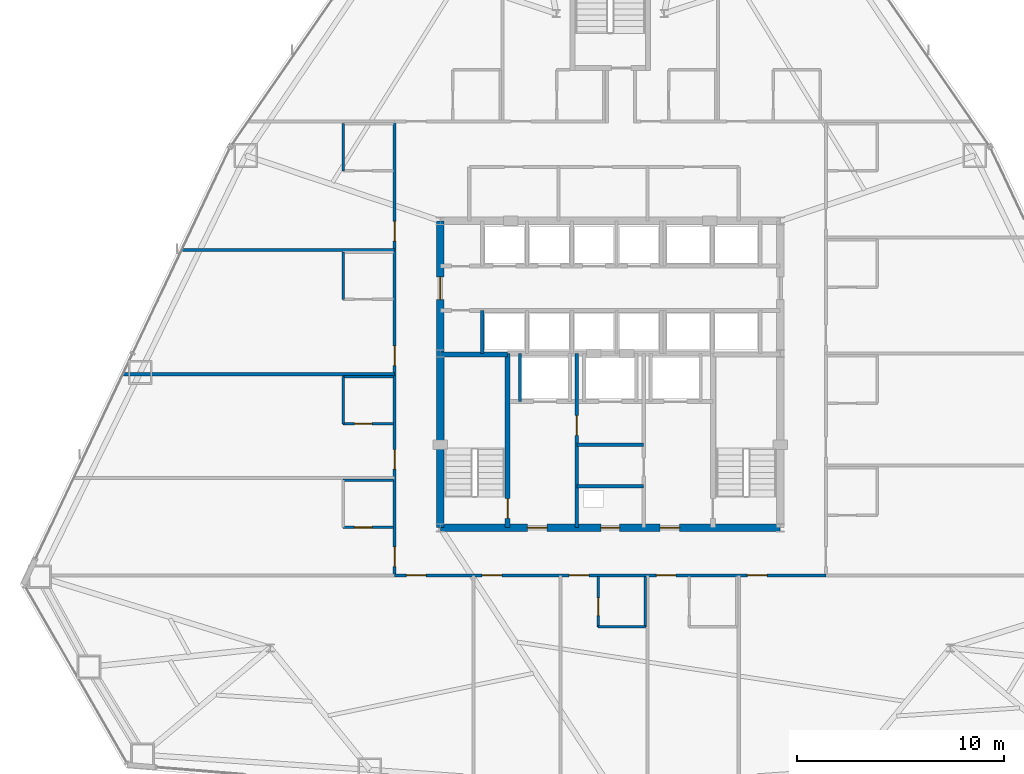
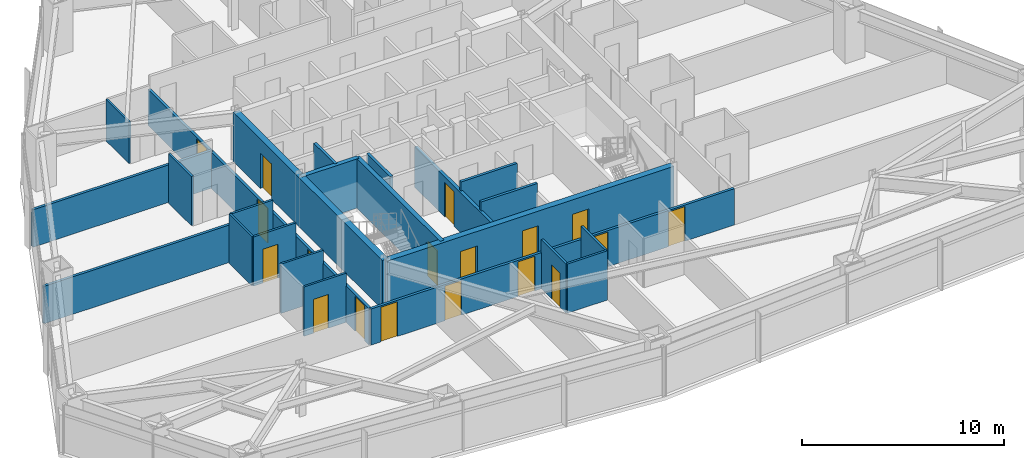
# One storey, part 9 of 13: 23 walls, 18 doors, 18 openings.
"""IFC4 building model written with IfcOpenShell, lengths in metres."""

from ifc_helpers import new_model, si_unit, direction, frame, frame_2d, origin, place, context, subcontext, project, spatial, rectangle, extrude, material, layer, layer_set, type_object, element, fill, save


model = new_model("IFC4")

# Units and contexts
model_context = context("Model", 3, precision=1e-05, world=origin(), true_north=direction((0.0, 1.0)))
body_context = subcontext(model_context, "Body", "Model", "MODEL_VIEW")
ifc_project = project(units=[si_unit("LENGTHUNIT", "METRE"), si_unit("AREAUNIT", "SQUARE_METRE"), si_unit("VOLUMEUNIT", "CUBIC_METRE"), si_unit("PLANEANGLEUNIT", "RADIAN"), si_unit("MASSUNIT", "GRAM", prefix="KILO")], contexts=[model_context])

# Site, building, storey
site_placement = place(None, origin())
site = spatial("IfcSite", under=ifc_project, at=site_placement, CompositionType="ELEMENT")
building_placement = place(site_placement, origin())
building = spatial("IfcBuilding", under=site, at=building_placement, Name="Varakhsha Concourse Tower", CompositionType="ELEMENT")
storey_placement = place(building_placement, frame((0.0, 0.0, 52.800048828125)))
storey = spatial("IfcBuildingStorey", under=building, at=storey_placement, Name="L14", CompositionType="ELEMENT", Elevation=52.800048828125)

# Wall, openings, doors
ifc_material_1 = material(Name="Concrete fc 65 MPa", Category="concrete")
ifc_layer_1 = layer(ifc_material_1, 0.35009765625, Name="WL-CORE-350")
ifc_layer_set_1 = layer_set([ifc_layer_1], Name="Concrete fc 65 MPa")
wall_type_1 = type_object("IfcWallType", Name="WL-CORE-350", PredefinedType="SHEAR", material=ifc_layer_set_1)
wall_1_placement = place(storey_placement, frame((31.800048828125, 16.39990234375, 0.0), z_axis=(0.0, 0.0, 1.0), x_axis=(1.0, 0.0, 0.0)))
wall_1 = element("IfcWall", 1, at=wall_1_placement, inside=storey, type_object=wall_type_1, Name="L14 Wall CWALL-S-L14", PredefinedType="SHEAR", context=body_context, shape_type="SweptSolid", body=[
    extrude(rectangle(XDim=16.39990234375, YDim=0.35009765625, at=frame_2d((8.199951171875, 0.0))), origin(), (0.0, 0.0, 1.0), 2.97998046875),
])
opening_1_placement = place(wall_1_placement, frame((7.75, 0.0, 0.0)))
opening_1 = element("IfcOpeningElement", 2, at=opening_1_placement, cuts=wall_1, Name="Opening DF-06", PredefinedType="OPENING", context=body_context, shape_type="SweptSolid", body=[
    extrude(rectangle(XDim=0.89990234375, YDim=2.10009765625, at=frame_2d((0.449951171875, 1.050048828125))), frame((0.0, 0.18505859375, 0.0), z_axis=(0.0, -1.0, 0.0), x_axis=(1.0, 0.0, 0.0)), (0.0, 0.0, 1.0), 0.3701171875),
])
opening_2_placement = place(wall_1_placement, frame((4.199951171875, 0.0, 0.0)))
opening_2 = element("IfcOpeningElement", 3, at=opening_2_placement, cuts=wall_1, Name="Opening DF-05", PredefinedType="OPENING", context=body_context, shape_type="SweptSolid", body=[
    extrude(rectangle(XDim=0.949951171875, YDim=2.10009765625, at=frame_2d((0.47509765625, 1.050048828125))), frame((0.0, 0.18505859375, 0.0), z_axis=(0.0, -1.0, 0.0), x_axis=(1.0, 0.0, 0.0)), (0.0, 0.0, 1.0), 0.3701171875),
])
opening_3_placement = place(wall_1_placement, frame((10.60009765625, 0.0, 0.0)))
opening_3 = element("IfcOpeningElement", 4, at=opening_3_placement, cuts=wall_1, Name="Opening DF-05", PredefinedType="OPENING", context=body_context, shape_type="SweptSolid", body=[
    extrude(rectangle(XDim=0.949951171875, YDim=2.10009765625, at=frame_2d((0.47509765625, 1.050048828125))), frame((0.0, 0.18505859375, 0.0), z_axis=(0.0, -1.0, 0.0), x_axis=(1.0, 0.0, 0.0)), (0.0, 0.0, 1.0), 0.3701171875),
])
ifc_material_2 = material(Name="Hollow Galvanised Steel Fire Door Assembly", Category="steel")
door_type_1 = type_object("IfcDoorType", Name="DR-FD60-900", OperationType="NOTDEFINED", PredefinedType="DOOR", material=ifc_material_2)
door_1_placement = place(opening_1_placement, origin())
door_1 = element("IfcDoor", 5, at=door_1_placement, inside=storey, type_object=door_type_1, Name="L14 Electrical Riser Door", OperationType="SINGLE_SWING_LEFT", OverallHeight=2.10009765625, OverallWidth=0.89990234375, PredefinedType="DOOR", context=body_context, shape_type="SweptSolid", body=[
    extrude(rectangle(XDim=0.89990234375, YDim=2.10009765625, at=frame_2d((0.449951171875, 1.050048828125))), frame((0.0, 0.02490234375, 0.0), z_axis=(0.0, -1.0, 0.0), x_axis=(1.0, 0.0, 0.0)), (0.0, 0.0, 1.0), 0.050048828125),
])
fill(opening_1, door_1)
door_type_2 = type_object("IfcDoorType", Name="DR-FD60-950", OperationType="NOTDEFINED", PredefinedType="DOOR", material=ifc_material_2)
door_2_placement = place(opening_2_placement, origin())
door_2 = element("IfcDoor", 6, at=door_2_placement, inside=storey, type_object=door_type_2, Name="L14 Firefighting Lobby West Door", OperationType="SINGLE_SWING_RIGHT", OverallHeight=2.10009765625, OverallWidth=0.949951171875, PredefinedType="DOOR", context=body_context, shape_type="SweptSolid", body=[
    extrude(rectangle(XDim=0.949951171875, YDim=2.10009765625, at=frame_2d((0.47509765625, 1.050048828125))), frame((0.0, 0.02490234375, 0.0), z_axis=(0.0, -1.0, 0.0), x_axis=(1.0, 0.0, 0.0)), (0.0, 0.0, 1.0), 0.050048828125),
])
fill(opening_2, door_2)
door_3_placement = place(opening_3_placement, origin())
door_3 = element("IfcDoor", 7, at=door_3_placement, inside=storey, type_object=door_type_2, Name="L14 Firefighting Lobby East Door", OperationType="SINGLE_SWING_LEFT", OverallHeight=2.10009765625, OverallWidth=0.949951171875, PredefinedType="DOOR", context=body_context, shape_type="SweptSolid", body=[
    extrude(rectangle(XDim=0.949951171875, YDim=2.10009765625, at=frame_2d((0.47509765625, 1.050048828125))), frame((0.0, 0.02490234375, 0.0), z_axis=(0.0, -1.0, 0.0), x_axis=(1.0, 0.0, 0.0)), (0.0, 0.0, 1.0), 0.050048828125),
])
fill(opening_3, door_3)

# Wall, opening, door
wall_2_placement = place(storey_placement, frame((31.800048828125, 16.39990234375, 0.0), z_axis=(0.0, 0.0, 1.0), x_axis=(0.0, 1.0, 0.0)))
wall_2 = element("IfcWall", 8, at=wall_2_placement, inside=storey, type_object=wall_type_1, Name="L14 Wall CWALL-W-L14", PredefinedType="SHEAR", context=body_context, shape_type="SweptSolid", body=[
    extrude(rectangle(XDim=14.800048828125, YDim=0.35009765625, at=frame_2d((7.39990234375, 0.0))), origin(), (0.0, 0.0, 1.0), 2.97998046875),
])
opening_4_placement = place(wall_2_placement, frame((11.0, 0.0, 0.0)))
opening_4 = element("IfcOpeningElement", 9, at=opening_4_placement, cuts=wall_2, Name="Opening DL-01", PredefinedType="OPENING", context=body_context, shape_type="SweptSolid", body=[
    extrude(rectangle(XDim=1.10009765625, YDim=2.14990234375, at=frame_2d((0.550048828125, 1.074951171875))), frame((0.0, 0.18505859375, 0.0), z_axis=(0.0, -1.0, 0.0), x_axis=(1.0, 0.0, 0.0)), (0.0, 0.0, 1.0), 0.3701171875),
])
ifc_material_3 = material(Name="Anodised Bronze Architectural Aluminium AA 6063-T6", Category="aluminium")
door_type_3 = type_object("IfcDoorType", Name="DR-LOB-1100", OperationType="NOTDEFINED", PredefinedType="DOOR", material=ifc_material_3)
door_4_placement = place(opening_4_placement, origin())
door_4 = element("IfcDoor", 10, at=door_4_placement, inside=storey, type_object=door_type_3, Name="L14 Lift Lobby West Concourse Door", OperationType="SINGLE_SWING_LEFT", OverallHeight=2.14990234375, OverallWidth=1.10009765625, PredefinedType="DOOR", context=body_context, shape_type="SweptSolid", body=[
    extrude(rectangle(XDim=1.10009765625, YDim=2.14990234375, at=frame_2d((0.550048828125, 1.074951171875))), frame((0.0, 0.02490234375, 0.0), z_axis=(0.0, -1.0, 0.0), x_axis=(1.0, 0.0, 0.0)), (0.0, 0.0, 1.0), 0.050048828125),
])
fill(opening_4, door_4)

ifc_material_4 = material(Name="Fire-Rated Type X Gypsum Partition Assembly", Category="gypsum")
ifc_layer_2 = layer(ifc_material_4, 0.179931640625, Name="WL-FFLOB-180")
ifc_layer_set_2 = layer_set([ifc_layer_2], Name="Fire-Rated Type X Gypsum Partition Assembly")
wall_type_2 = type_object("IfcWallType", Name="WL-FFLOB-180", PredefinedType="PARTITIONING", material=ifc_layer_set_2)
wall_3_placement = place(storey_placement, frame((38.389892578125, 16.39990234375, 0.0), z_axis=(0.0, 0.0, 1.0), x_axis=(0.0, 1.0, 0.0)))
wall_3 = element("IfcWall", 11, at=wall_3_placement, inside=storey, type_object=wall_type_2, Name="L14 Wall FFW-1E-L14", PredefinedType="PARTITIONING", context=body_context, shape_type="SweptSolid", body=[
    extrude(rectangle(XDim=8.400146484375, YDim=0.179931640625, at=frame_2d((4.2001953125, 0.0))), origin(), (0.0, 0.0, 1.0), 2.430908203125),
])
opening_5_placement = place(wall_3_placement, frame((4.449951171875, 0.0, 0.0)))
opening_5 = element("IfcOpeningElement", 12, at=opening_5_placement, cuts=wall_3, Name="Opening DF-05", PredefinedType="OPENING", context=body_context, shape_type="SweptSolid", body=[
    extrude(rectangle(XDim=0.949951171875, YDim=2.10009765625, at=frame_2d((0.47509765625, 1.050048828125))), frame((0.0, 0.099853515625, 0.0), z_axis=(0.0, -1.0, 0.0), x_axis=(1.0, 0.0, 0.0)), (0.0, 0.0, 1.0), 0.199951171875),
])
door_5_placement = place(opening_5_placement, origin())
door_5 = element("IfcDoor", 13, at=door_5_placement, inside=storey, type_object=door_type_2, Name="L14 Service Vestibule Door", OperationType="SINGLE_SWING_RIGHT", OverallHeight=2.10009765625, OverallWidth=0.949951171875, PredefinedType="DOOR", context=body_context, shape_type="SweptSolid", body=[
    extrude(rectangle(XDim=0.949951171875, YDim=2.10009765625, at=frame_2d((0.47509765625, 1.050048828125))), frame((0.0, 0.02490234375, 0.0), z_axis=(0.0, -1.0, 0.0), x_axis=(1.0, 0.0, 0.0)), (0.0, 0.0, 1.0), 0.050048828125),
])
fill(opening_5, door_5)

ifc_material_5 = material(Name="Acoustic Gypsum Board Partition Assembly", Category="gypsum")
ifc_layer_3 = layer(ifc_material_5, 0.1201171875, Name="WL-PART-120")
ifc_layer_set_3 = layer_set([ifc_layer_3], Name="Acoustic Gypsum Board Partition Assembly")
wall_type_3 = type_object("IfcWallType", Name="WL-PART-120", PredefinedType="PARTITIONING", material=ifc_layer_set_3)
wall_4_placement = place(storey_placement, frame((39.409912109375, 11.610107421875, 0.0), z_axis=(0.0, 0.0, 1.0), x_axis=(0.0, 1.0, 0.0)))
wall_4 = element("IfcWall", 14, at=wall_4_placement, inside=storey, type_object=wall_type_3, Name="L14 Wall ENSW-W-L14-H03", PredefinedType="PARTITIONING", context=body_context, shape_type="SweptSolid", body=[
    extrude(rectangle(XDim=2.429931640625, YDim=0.1201171875, at=frame_2d((1.21484375, 0.0))), origin(), (0.0, 0.0, 1.0), 2.97998046875),
])
opening_6_placement = place(wall_4_placement, frame((0.550048828125, 0.0, 0.0)))
opening_6 = element("IfcOpeningElement", 15, at=opening_6_placement, cuts=wall_4, Name="Opening DI-01", PredefinedType="OPENING", context=body_context, shape_type="SweptSolid", body=[
    extrude(rectangle(XDim=0.85009765625, YDim=2.050048828125, at=frame_2d((0.425048828125, 1.02490234375))), frame((0.0, 0.070068359375, 0.0), z_axis=(0.0, -1.0, 0.0), x_axis=(1.0, 0.0, 0.0)), (0.0, 0.0, 1.0), 0.14013671875),
])
ifc_material_6 = material(Name="Architectural Walnut Acoustic Timber Door", Category="wood")
door_type_4 = type_object("IfcDoorType", Name="DR-INT-850", OperationType="NOTDEFINED", PredefinedType="DOOR", material=ifc_material_6)
door_6_placement = place(opening_6_placement, origin())
door_6 = element("IfcDoor", 16, at=door_6_placement, inside=storey, type_object=door_type_4, Name="L14 En-suite Bathroom Door L14-H03", OperationType="SINGLE_SWING_RIGHT", OverallHeight=2.050048828125, OverallWidth=0.85009765625, PredefinedType="DOOR", context=body_context, shape_type="SweptSolid", body=[
    extrude(rectangle(XDim=0.85009765625, YDim=2.050048828125, at=frame_2d((0.425048828125, 1.02490234375))), frame((0.0, 0.02490234375, 0.0), z_axis=(0.0, -1.0, 0.0), x_axis=(1.0, 0.0, 0.0)), (0.0, 0.0, 1.0), 0.050048828125),
])
fill(opening_6, door_6)

# Walls
wall_5_placement = place(storey_placement, frame((41.68994140625, 11.610107421875, 0.0), z_axis=(0.0, 0.0, 1.0), x_axis=(0.0, 1.0, 0.0)))
element("IfcWall", 17, at=wall_5_placement, inside=storey, type_object=wall_type_3, Name="L14 Wall ENSW-E-L14-H03", PredefinedType="PARTITIONING", context=body_context, shape_type="SweptSolid", body=[
    extrude(rectangle(XDim=2.429931640625, YDim=0.1201171875, at=frame_2d((1.21484375, 0.0))), origin(), (0.0, 0.0, 1.0), 2.97998046875),
])
wall_6_placement = place(storey_placement, frame((39.409912109375, 11.610107421875, 0.0), z_axis=(0.0, 0.0, 1.0), x_axis=(1.0, 0.0, 0.0)))
element("IfcWall", 18, at=wall_6_placement, inside=storey, type_object=wall_type_3, Name="L14 Wall ENSW-S-L14-H03", PredefinedType="PARTITIONING", context=body_context, shape_type="SweptSolid", body=[
    extrude(rectangle(XDim=2.280029296875, YDim=0.1201171875, at=frame_2d((1.14013671875, 0.0))), origin(), (0.0, 0.0, 1.0), 2.97998046875),
])

# Wall, opening, door
wall_7_placement = place(storey_placement, frame((27.110107421875, 16.409912109375, 0.0), z_axis=(0.0, 0.0, 1.0), x_axis=(1.0, 0.0, 0.0)))
wall_7 = element("IfcWall", 19, at=wall_7_placement, inside=storey, type_object=wall_type_3, Name="L14 Wall ENSW-S-L14-H06", PredefinedType="PARTITIONING", context=body_context, shape_type="SweptSolid", body=[
    extrude(rectangle(XDim=2.429931640625, YDim=0.1201171875, at=frame_2d((1.21484375, 0.0))), origin(), (0.0, 0.0, 1.0), 2.97998046875),
])
opening_7_placement = place(wall_7_placement, frame((0.550048828125, 0.0, 0.0)))
opening_7 = element("IfcOpeningElement", 20, at=opening_7_placement, cuts=wall_7, Name="Opening DI-01", PredefinedType="OPENING", context=body_context, shape_type="SweptSolid", body=[
    extrude(rectangle(XDim=0.85009765625, YDim=2.050048828125, at=frame_2d((0.425048828125, 1.02490234375))), frame((0.0, 0.070068359375, 0.0), z_axis=(0.0, -1.0, 0.0), x_axis=(1.0, 0.0, 0.0)), (0.0, 0.0, 1.0), 0.14013671875),
])
door_7_placement = place(opening_7_placement, origin())
door_7 = element("IfcDoor", 21, at=door_7_placement, inside=storey, type_object=door_type_4, Name="L14 En-suite Bathroom Door L14-H06", OperationType="SINGLE_SWING_RIGHT", OverallHeight=2.050048828125, OverallWidth=0.85009765625, PredefinedType="DOOR", context=body_context, shape_type="SweptSolid", body=[
    extrude(rectangle(XDim=0.85009765625, YDim=2.050048828125, at=frame_2d((0.425048828125, 1.02490234375))), frame((0.0, 0.02490234375, 0.0), z_axis=(0.0, -1.0, 0.0), x_axis=(1.0, 0.0, 0.0)), (0.0, 0.0, 1.0), 0.050048828125),
])
fill(opening_7, door_7)

# Walls
wall_8_placement = place(storey_placement, frame((27.110107421875, 18.68994140625, 0.0), z_axis=(0.0, 0.0, 1.0), x_axis=(1.0, 0.0, 0.0)))
element("IfcWall", 22, at=wall_8_placement, inside=storey, type_object=wall_type_3, Name="L14 Wall ENSW-N-L14-H06", PredefinedType="PARTITIONING", context=body_context, shape_type="SweptSolid", body=[
    extrude(rectangle(XDim=2.429931640625, YDim=0.1201171875, at=frame_2d((1.21484375, 0.0))), origin(), (0.0, 0.0, 1.0), 2.97998046875),
])
wall_9_placement = place(storey_placement, frame((27.110107421875, 21.409912109375, 0.0), z_axis=(0.0, 0.0, 1.0), x_axis=(0.0, 1.0, 0.0)))
element("IfcWall", 23, at=wall_9_placement, inside=storey, type_object=wall_type_3, Name="L14 Wall ENSW-W-L14-H07", PredefinedType="PARTITIONING", context=body_context, shape_type="SweptSolid", body=[
    extrude(rectangle(XDim=2.280029296875, YDim=0.1201171875, at=frame_2d((1.14013671875, 0.0))), origin(), (0.0, 0.0, 1.0), 2.97998046875),
])

# Wall, opening, door
wall_10_placement = place(storey_placement, frame((27.110107421875, 21.409912109375, 0.0), z_axis=(0.0, 0.0, 1.0), x_axis=(1.0, 0.0, 0.0)))
wall_10 = element("IfcWall", 24, at=wall_10_placement, inside=storey, type_object=wall_type_3, Name="L14 Wall ENSW-S-L14-H07", PredefinedType="PARTITIONING", context=body_context, shape_type="SweptSolid", body=[
    extrude(rectangle(XDim=2.429931640625, YDim=0.1201171875, at=frame_2d((1.21484375, 0.0))), origin(), (0.0, 0.0, 1.0), 2.97998046875),
])
opening_8_placement = place(wall_10_placement, frame((0.550048828125, 0.0, 0.0)))
opening_8 = element("IfcOpeningElement", 25, at=opening_8_placement, cuts=wall_10, Name="Opening DI-01", PredefinedType="OPENING", context=body_context, shape_type="SweptSolid", body=[
    extrude(rectangle(XDim=0.85009765625, YDim=2.050048828125, at=frame_2d((0.425048828125, 1.02490234375))), frame((0.0, 0.070068359375, 0.0), z_axis=(0.0, -1.0, 0.0), x_axis=(1.0, 0.0, 0.0)), (0.0, 0.0, 1.0), 0.14013671875),
])
door_8_placement = place(opening_8_placement, origin())
door_8 = element("IfcDoor", 26, at=door_8_placement, inside=storey, type_object=door_type_4, Name="L14 En-suite Bathroom Door L14-H07", OperationType="SINGLE_SWING_RIGHT", OverallHeight=2.050048828125, OverallWidth=0.85009765625, PredefinedType="DOOR", context=body_context, shape_type="SweptSolid", body=[
    extrude(rectangle(XDim=0.85009765625, YDim=2.050048828125, at=frame_2d((0.425048828125, 1.02490234375))), frame((0.0, 0.02490234375, 0.0), z_axis=(0.0, -1.0, 0.0), x_axis=(1.0, 0.0, 0.0)), (0.0, 0.0, 1.0), 0.050048828125),
])
fill(opening_8, door_8)

# Walls
wall_11_placement = place(storey_placement, frame((27.110107421875, 23.68994140625, 0.0), z_axis=(0.0, 0.0, 1.0), x_axis=(1.0, 0.0, 0.0)))
element("IfcWall", 27, at=wall_11_placement, inside=storey, type_object=wall_type_3, Name="L14 Wall ENSW-N-L14-H07", PredefinedType="PARTITIONING", context=body_context, shape_type="SweptSolid", body=[
    extrude(rectangle(XDim=2.429931640625, YDim=0.1201171875, at=frame_2d((1.21484375, 0.0))), origin(), (0.0, 0.0, 1.0), 2.97998046875),
])
wall_12_placement = place(storey_placement, frame((27.110107421875, 27.409912109375, 0.0), z_axis=(0.0, 0.0, 1.0), x_axis=(0.0, 1.0, 0.0)))
element("IfcWall", 28, at=wall_12_placement, inside=storey, type_object=wall_type_3, Name="L14 Wall ENSW-W-L14-H08", PredefinedType="PARTITIONING", context=body_context, shape_type="SweptSolid", body=[
    extrude(rectangle(XDim=2.280029296875, YDim=0.1201171875, at=frame_2d((1.14013671875, 0.0))), origin(), (0.0, 0.0, 1.0), 2.97998046875),
])
wall_13_placement = place(storey_placement, frame((27.110107421875, 33.610107421875, 0.0), z_axis=(0.0, 0.0, 1.0), x_axis=(0.0, 1.0, 0.0)))
element("IfcWall", 29, at=wall_13_placement, inside=storey, type_object=wall_type_3, Name="L14 Wall ENSW-W-L14-H09", PredefinedType="PARTITIONING", context=body_context, shape_type="SweptSolid", body=[
    extrude(rectangle(XDim=2.27978515625, YDim=0.1201171875, at=frame_2d((1.139892578125, 0.0))), origin(), (0.0, 0.0, 1.0), 2.512939453125),
])
ifc_layer_4 = layer(ifc_material_4, 0.14990234375, Name="WL-PART-150")
ifc_layer_set_4 = layer_set([ifc_layer_4], Name="Fire-Rated Type X Gypsum Partition Assembly")
wall_type_4 = type_object("IfcWallType", Name="WL-PART-150", PredefinedType="PARTITIONING", material=ifc_layer_set_4)
for number, where, z_axis, x_axis, name in (
    (30, (38.389892578125, 18.39990234375, 0.0), (0.0, 0.0, 1.0), (1.0, 0.0, 0.0), "L14 Wall RSW-H1-L14"),
    (31, (38.389892578125, 20.39990234375, 0.0), (0.0, 0.0, 1.0), (1.0, 0.0, 0.0), "L14 Wall RSW-H2-L14"),
):
    element("IfcWall", number, at=place(storey_placement, frame(where, z_axis=z_axis, x_axis=x_axis)), inside=storey, type_object=wall_type_4, Name=name, PredefinedType="PARTITIONING", context=body_context, shape_type="SweptSolid", body=[
        extrude(rectangle(XDim=3.22021484375, YDim=0.14990234375, at=frame_2d((1.610107421875, 0.0))), origin(), (0.0, 0.0, 1.0), 2.97998046875),
    ])

# Wall, openings, doors
wall_14_placement = place(storey_placement, frame((29.60009765625, 14.10009765625, 0.0), z_axis=(0.0, 0.0, 1.0), x_axis=(1.0, 0.0, 0.0)))
wall_14 = element("IfcWall", 32, at=wall_14_placement, inside=storey, type_object=wall_type_4, Name="L14 Wall CRW-S-L14", PredefinedType="PARTITIONING", context=body_context, shape_type="SweptSolid", body=[
    extrude(rectangle(XDim=20.7998046875, YDim=0.14990234375, at=frame_2d((10.39990234375, 0.0))), origin(), (0.0, 0.0, 1.0), 2.19091796875),
])
opening_9_placement = place(wall_14_placement, frame((0.570068359375, 0.0, 0.0)))
opening_9 = element("IfcOpeningElement", 33, at=opening_9_placement, cuts=wall_14, Name="Opening DF-05", PredefinedType="OPENING", context=body_context, shape_type="SweptSolid", body=[
    extrude(rectangle(XDim=0.949951171875, YDim=2.10009765625, at=frame_2d((0.47509765625, 1.050048828125))), frame((0.0, 0.0849609375, 0.0), z_axis=(0.0, -1.0, 0.0), x_axis=(1.0, 0.0, 0.0)), (0.0, 0.0, 1.0), 0.169921875),
])
opening_10_placement = place(wall_14_placement, frame((4.219970703125, 0.0, 0.0)))
opening_10 = element("IfcOpeningElement", 34, at=opening_10_placement, cuts=wall_14, Name="Opening DF-05", PredefinedType="OPENING", context=body_context, shape_type="SweptSolid", body=[
    extrude(rectangle(XDim=0.949951171875, YDim=2.10009765625, at=frame_2d((0.47509765625, 1.050048828125))), frame((0.0, 0.0849609375, 0.0), z_axis=(0.0, -1.0, 0.0), x_axis=(1.0, 0.0, 0.0)), (0.0, 0.0, 1.0), 0.169921875),
])
opening_11_placement = place(wall_14_placement, frame((8.419921875, 0.0, 0.0)))
opening_11 = element("IfcOpeningElement", 35, at=opening_11_placement, cuts=wall_14, Name="Opening DF-05", PredefinedType="OPENING", context=body_context, shape_type="SweptSolid", body=[
    extrude(rectangle(XDim=0.949951171875, YDim=2.10009765625, at=frame_2d((0.47509765625, 1.050048828125))), frame((0.0, 0.0849609375, 0.0), z_axis=(0.0, -1.0, 0.0), x_axis=(1.0, 0.0, 0.0)), (0.0, 0.0, 1.0), 0.169921875),
])
opening_12_placement = place(wall_14_placement, frame((12.6201171875, 0.0, 0.0)))
opening_12 = element("IfcOpeningElement", 36, at=opening_12_placement, cuts=wall_14, Name="Opening DF-05", PredefinedType="OPENING", context=body_context, shape_type="SweptSolid", body=[
    extrude(rectangle(XDim=0.949951171875, YDim=2.10009765625, at=frame_2d((0.47509765625, 1.050048828125))), frame((0.0, 0.0849609375, 0.0), z_axis=(0.0, -1.0, 0.0), x_axis=(1.0, 0.0, 0.0)), (0.0, 0.0, 1.0), 0.169921875),
])
opening_13_placement = place(wall_14_placement, frame((17.02001953125, 0.0, 0.0)))
opening_13 = element("IfcOpeningElement", 37, at=opening_13_placement, cuts=wall_14, Name="Opening DF-05", PredefinedType="OPENING", context=body_context, shape_type="SweptSolid", body=[
    extrude(rectangle(XDim=0.949951171875, YDim=2.10009765625, at=frame_2d((0.47509765625, 1.050048828125))), frame((0.0, 0.0849609375, 0.0), z_axis=(0.0, -1.0, 0.0), x_axis=(1.0, 0.0, 0.0)), (0.0, 0.0, 1.0), 0.169921875),
])
door_9_placement = place(opening_9_placement, origin())
door_9 = element("IfcDoor", 38, at=door_9_placement, inside=storey, type_object=door_type_2, Name="L14 Hotel Executive Salon L14-H01 Door", OperationType="SINGLE_SWING_LEFT", OverallHeight=2.10009765625, OverallWidth=0.949951171875, PredefinedType="DOOR", context=body_context, shape_type="SweptSolid", body=[
    extrude(rectangle(XDim=0.949951171875, YDim=2.10009765625, at=frame_2d((0.47509765625, 1.050048828125))), frame((0.0, 0.02490234375, 0.0), z_axis=(0.0, -1.0, 0.0), x_axis=(1.0, 0.0, 0.0)), (0.0, 0.0, 1.0), 0.050048828125),
])
fill(opening_9, door_9)
door_10_placement = place(opening_10_placement, origin())
door_10 = element("IfcDoor", 39, at=door_10_placement, inside=storey, type_object=door_type_2, Name="L14 Business Center Salon L14-H02 Door", OperationType="SINGLE_SWING_RIGHT", OverallHeight=2.10009765625, OverallWidth=0.949951171875, PredefinedType="DOOR", context=body_context, shape_type="SweptSolid", body=[
    extrude(rectangle(XDim=0.949951171875, YDim=2.10009765625, at=frame_2d((0.47509765625, 1.050048828125))), frame((0.0, 0.02490234375, 0.0), z_axis=(0.0, -1.0, 0.0), x_axis=(1.0, 0.0, 0.0)), (0.0, 0.0, 1.0), 0.050048828125),
])
fill(opening_10, door_10)
door_11_placement = place(opening_11_placement, origin())
door_11 = element("IfcDoor", 40, at=door_11_placement, inside=storey, type_object=door_type_2, Name="L14 Hotel Guest Room L14-H03 Entry Door", OperationType="SINGLE_SWING_LEFT", OverallHeight=2.10009765625, OverallWidth=0.949951171875, PredefinedType="DOOR", context=body_context, shape_type="SweptSolid", body=[
    extrude(rectangle(XDim=0.949951171875, YDim=2.10009765625, at=frame_2d((0.47509765625, 1.050048828125))), frame((0.0, 0.02490234375, 0.0), z_axis=(0.0, -1.0, 0.0), x_axis=(1.0, 0.0, 0.0)), (0.0, 0.0, 1.0), 0.050048828125),
])
fill(opening_11, door_11)
door_12_placement = place(opening_12_placement, origin())
door_12 = element("IfcDoor", 41, at=door_12_placement, inside=storey, type_object=door_type_2, Name="L14 Hotel Guest Room L14-H04 Entry Door", OperationType="SINGLE_SWING_RIGHT", OverallHeight=2.10009765625, OverallWidth=0.949951171875, PredefinedType="DOOR", context=body_context, shape_type="SweptSolid", body=[
    extrude(rectangle(XDim=0.949951171875, YDim=2.10009765625, at=frame_2d((0.47509765625, 1.050048828125))), frame((0.0, 0.02490234375, 0.0), z_axis=(0.0, -1.0, 0.0), x_axis=(1.0, 0.0, 0.0)), (0.0, 0.0, 1.0), 0.050048828125),
])
fill(opening_12, door_12)
door_13_placement = place(opening_13_placement, origin())
door_13 = element("IfcDoor", 42, at=door_13_placement, inside=storey, type_object=door_type_2, Name="L14 Hotel Executive Salon L14-H05 Door", OperationType="SINGLE_SWING_LEFT", OverallHeight=2.10009765625, OverallWidth=0.949951171875, PredefinedType="DOOR", context=body_context, shape_type="SweptSolid", body=[
    extrude(rectangle(XDim=0.949951171875, YDim=2.10009765625, at=frame_2d((0.47509765625, 1.050048828125))), frame((0.0, 0.02490234375, 0.0), z_axis=(0.0, -1.0, 0.0), x_axis=(1.0, 0.0, 0.0)), (0.0, 0.0, 1.0), 0.050048828125),
])
fill(opening_13, door_13)

wall_15_placement = place(storey_placement, frame((29.60009765625, 14.10009765625, 0.0), z_axis=(0.0, 0.0, 1.0), x_axis=(0.0, 1.0, 0.0)))
wall_15 = element("IfcWall", 43, at=wall_15_placement, inside=storey, type_object=wall_type_4, Name="L14 Wall CRW-W-L14", PredefinedType="PARTITIONING", context=body_context, shape_type="SweptSolid", body=[
    extrude(rectangle(XDim=21.89990234375, YDim=0.14990234375, at=frame_2d((10.949951171875, 0.0))), origin(), (0.0, 0.0, 1.0), 2.19091796875),
])
opening_14_placement = place(wall_15_placement, frame((0.419921875, 0.0, 0.0)))
opening_14 = element("IfcOpeningElement", 44, at=opening_14_placement, cuts=wall_15, Name="Opening DF-05", PredefinedType="OPENING", context=body_context, shape_type="SweptSolid", body=[
    extrude(rectangle(XDim=0.949951171875, YDim=2.10009765625, at=frame_2d((0.47509765625, 1.050048828125))), frame((0.0, 0.0849609375, 0.0), z_axis=(0.0, -1.0, 0.0), x_axis=(1.0, 0.0, 0.0)), (0.0, 0.0, 1.0), 0.169921875),
])
opening_15_placement = place(wall_15_placement, frame((5.1201171875, 0.0, 0.0)))
opening_15 = element("IfcOpeningElement", 45, at=opening_15_placement, cuts=wall_15, Name="Opening DF-05", PredefinedType="OPENING", context=body_context, shape_type="SweptSolid", body=[
    extrude(rectangle(XDim=0.949951171875, YDim=2.10009765625, at=frame_2d((0.47509765625, 1.050048828125))), frame((0.0, 0.0849609375, 0.0), z_axis=(0.0, -1.0, 0.0), x_axis=(1.0, 0.0, 0.0)), (0.0, 0.0, 1.0), 0.169921875),
])
opening_16_placement = place(wall_15_placement, frame((10.1201171875, 0.0, 0.0)))
opening_16 = element("IfcOpeningElement", 46, at=opening_16_placement, cuts=wall_15, Name="Opening DF-05", PredefinedType="OPENING", context=body_context, shape_type="SweptSolid", body=[
    extrude(rectangle(XDim=0.949951171875, YDim=2.10009765625, at=frame_2d((0.47509765625, 1.050048828125))), frame((0.0, 0.0849609375, 0.0), z_axis=(0.0, -1.0, 0.0), x_axis=(1.0, 0.0, 0.0)), (0.0, 0.0, 1.0), 0.169921875),
])
opening_17_placement = place(wall_15_placement, frame((16.1201171875, 0.0, 0.0)))
opening_17 = element("IfcOpeningElement", 47, at=opening_17_placement, cuts=wall_15, Name="Opening DF-05", PredefinedType="OPENING", context=body_context, shape_type="SweptSolid", body=[
    extrude(rectangle(XDim=0.949951171875, YDim=2.10009765625, at=frame_2d((0.47509765625, 1.050048828125))), frame((0.0, 0.0849609375, 0.0), z_axis=(0.0, -1.0, 0.0), x_axis=(1.0, 0.0, 0.0)), (0.0, 0.0, 1.0), 0.169921875),
])
door_14_placement = place(opening_14_placement, origin())
door_14 = element("IfcDoor", 48, at=door_14_placement, inside=storey, type_object=door_type_2, Name="L14 Hotel Corner Suite L14-H06 Entry Door", OperationType="SINGLE_SWING_RIGHT", OverallHeight=2.10009765625, OverallWidth=0.949951171875, PredefinedType="DOOR", context=body_context, shape_type="SweptSolid", body=[
    extrude(rectangle(XDim=0.949951171875, YDim=2.10009765625, at=frame_2d((0.47509765625, 1.050048828125))), frame((0.0, 0.02490234375, 0.0), z_axis=(0.0, -1.0, 0.0), x_axis=(1.0, 0.0, 0.0)), (0.0, 0.0, 1.0), 0.050048828125),
])
fill(opening_14, door_14)
door_15_placement = place(opening_15_placement, origin())
door_15 = element("IfcDoor", 49, at=door_15_placement, inside=storey, type_object=door_type_2, Name="L14 Hotel Corner Suite L14-H07 Entry Door", OperationType="SINGLE_SWING_LEFT", OverallHeight=2.10009765625, OverallWidth=0.949951171875, PredefinedType="DOOR", context=body_context, shape_type="SweptSolid", body=[
    extrude(rectangle(XDim=0.949951171875, YDim=2.10009765625, at=frame_2d((0.47509765625, 1.050048828125))), frame((0.0, 0.02490234375, 0.0), z_axis=(0.0, -1.0, 0.0), x_axis=(1.0, 0.0, 0.0)), (0.0, 0.0, 1.0), 0.050048828125),
])
fill(opening_15, door_15)
door_16_placement = place(opening_16_placement, origin())
door_16 = element("IfcDoor", 50, at=door_16_placement, inside=storey, type_object=door_type_2, Name="L14 Hotel Corner Suite L14-H08 Entry Door", OperationType="SINGLE_SWING_RIGHT", OverallHeight=2.10009765625, OverallWidth=0.949951171875, PredefinedType="DOOR", context=body_context, shape_type="SweptSolid", body=[
    extrude(rectangle(XDim=0.949951171875, YDim=2.10009765625, at=frame_2d((0.47509765625, 1.050048828125))), frame((0.0, 0.02490234375, 0.0), z_axis=(0.0, -1.0, 0.0), x_axis=(1.0, 0.0, 0.0)), (0.0, 0.0, 1.0), 0.050048828125),
])
fill(opening_16, door_16)
door_17_placement = place(opening_17_placement, origin())
door_17 = element("IfcDoor", 51, at=door_17_placement, inside=storey, type_object=door_type_2, Name="L14 Hotel Corner Suite L14-H09 Entry Door", OperationType="SINGLE_SWING_LEFT", OverallHeight=2.10009765625, OverallWidth=0.949951171875, PredefinedType="DOOR", context=body_context, shape_type="SweptSolid", body=[
    extrude(rectangle(XDim=0.949951171875, YDim=2.10009765625, at=frame_2d((0.47509765625, 1.050048828125))), frame((0.0, 0.02490234375, 0.0), z_axis=(0.0, -1.0, 0.0), x_axis=(1.0, 0.0, 0.0)), (0.0, 0.0, 1.0), 0.050048828125),
])
fill(opening_17, door_17)

# Walls
wall_16_placement = place(storey_placement, frame((16.4951171875, 23.800048828125, 0.0), z_axis=(0.0, 0.0, 1.0), x_axis=(1.0, 0.0, 0.0)))
element("IfcWall", 52, at=wall_16_placement, inside=storey, type_object=wall_type_4, Name="L14 Wall HDIV-W2-L14", PredefinedType="PARTITIONING", context=body_context, shape_type="SweptSolid", body=[
    extrude(rectangle(XDim=13.10498046875, YDim=0.14990234375, at=frame_2d((6.552490234375, 0.0))), origin(), (0.0, 0.0, 1.0), 2.26806640625),
])
wall_17_placement = place(storey_placement, frame((19.333251953125, 29.800048828125, 0.0), z_axis=(0.0, 0.0, 1.0), x_axis=(1.0, 0.0, 0.0)))
element("IfcWall", 53, at=wall_17_placement, inside=storey, type_object=wall_type_4, Name="L14 Wall HDIV-W3-L14", PredefinedType="PARTITIONING", context=body_context, shape_type="SweptSolid", body=[
    extrude(rectangle(XDim=10.266845703125, YDim=0.14990234375, at=frame_2d((5.13330078125, 0.0))), origin(), (0.0, 0.0, 1.0), 2.26806640625),
])
ifc_layer_5 = layer(ifc_material_4, 0.199951171875, Name="WL-SHAFT-220")
ifc_layer_set_5 = layer_set([ifc_layer_5], Name="Fire-Rated Type X Gypsum Partition Assembly")
wall_type_5 = type_object("IfcWallType", Name="WL-SHAFT-220", PredefinedType="SOLIDWALL", material=ifc_layer_set_5)
wall_18_placement = place(storey_placement, frame((35.64990234375, 22.47998046875, 0.0), z_axis=(0.0, 0.0, 1.0), x_axis=(0.0, 1.0, 0.0)))
element("IfcWall", 54, at=wall_18_placement, inside=storey, type_object=wall_type_5, Name="L14 Wall SHW-FFL-1-W-L14", PredefinedType="SOLIDWALL", context=body_context, shape_type="SweptSolid", body=[
    extrude(rectangle(XDim=2.320068359375, YDim=0.159912109375, at=frame_2d((1.16015625, 0.0))), origin(), (0.0, 0.0, 1.0), 2.97998046875),
])
wall_19_placement = place(storey_placement, frame((33.820068359375, 24.800048828125, 0.0), z_axis=(0.0, 0.0, 1.0), x_axis=(0.0, 1.0, 0.0)))
element("IfcWall", 55, at=wall_19_placement, inside=storey, type_object=wall_type_5, Name="L14 Wall WBOH-E2-L14", PredefinedType="SOLIDWALL", context=body_context, shape_type="SweptSolid", body=[
    extrude(rectangle(XDim=2.079833984375, YDim=0.159912109375, at=frame_2d((1.0400390625, 0.0))), origin(), (0.0, 0.0, 1.0), 2.97998046875),
])

# Wall, opening, door
ifc_material_7 = material(Name="Concrete fc 45 MPa", Category="concrete")
ifc_layer_6 = layer(ifc_material_7, 0.25, Name="WL-STAIR-250")
ifc_layer_set_6 = layer_set([ifc_layer_6], Name="Concrete fc 45 MPa")
wall_type_6 = type_object("IfcWallType", Name="WL-STAIR-250", PredefinedType="SHEAR", material=ifc_layer_set_6)
wall_20_placement = place(storey_placement, frame((35.044921875, 16.39990234375, 0.0), z_axis=(0.0, 0.0, 1.0), x_axis=(0.0, 1.0, 0.0)))
wall_20 = element("IfcWall", 56, at=wall_20_placement, inside=storey, type_object=wall_type_6, Name="L14 Wall SWALL-ST1-E-L14", PredefinedType="SHEAR", context=body_context, shape_type="SweptSolid", body=[
    extrude(rectangle(XDim=8.400146484375, YDim=0.25, at=frame_2d((4.2001953125, 0.0))), origin(), (0.0, 0.0, 1.0), 2.97998046875),
])
opening_18_placement = place(wall_20_placement, frame((0.449951171875, 0.0, 0.0)))
opening_18 = element("IfcOpeningElement", 57, at=opening_18_placement, cuts=wall_20, Name="Opening DF-03", PredefinedType="OPENING", context=body_context, shape_type="SweptSolid", body=[
    extrude(rectangle(XDim=0.949951171875, YDim=2.10009765625, at=frame_2d((0.47509765625, 1.050048828125))), frame((0.0, 0.135009765625, 0.0), z_axis=(0.0, -1.0, 0.0), x_axis=(1.0, 0.0, 0.0)), (0.0, 0.0, 1.0), 0.27001953125),
])
door_type_5 = type_object("IfcDoorType", Name="DR-FD90-950", OperationType="NOTDEFINED", PredefinedType="DOOR", material=ifc_material_2)
door_18_placement = place(opening_18_placement, origin())
door_18 = element("IfcDoor", 58, at=door_18_placement, inside=storey, type_object=door_type_5, Name="L14 Stair ST1 Fire Door", OperationType="SINGLE_SWING_LEFT", OverallHeight=2.10009765625, OverallWidth=0.949951171875, PredefinedType="DOOR", context=body_context, shape_type="SweptSolid", body=[
    extrude(rectangle(XDim=0.949951171875, YDim=2.10009765625, at=frame_2d((0.47509765625, 1.050048828125))), frame((0.0, 0.02490234375, 0.0), z_axis=(0.0, -1.0, 0.0), x_axis=(1.0, 0.0, 0.0)), (0.0, 0.0, 1.0), 0.050048828125),
])
fill(opening_18, door_18)

# Wall
wall_21_placement = place(storey_placement, frame((31.800048828125, 24.7548828125, 0.0), z_axis=(0.0, 0.0, 1.0), x_axis=(1.0, 0.0, 0.0)))
element("IfcWall", 59, at=wall_21_placement, inside=storey, type_object=wall_type_6, Name="L14 Wall SWALL-ST1-N-L14", PredefinedType="SHEAR", context=body_context, shape_type="SweptSolid", body=[
    extrude(rectangle(XDim=3.244873046875, YDim=0.25, at=frame_2d((1.62255859375, 0.0))), origin(), (0.0, 0.0, 1.0), 2.97998046875),
])

save(model, "model.ifc")
